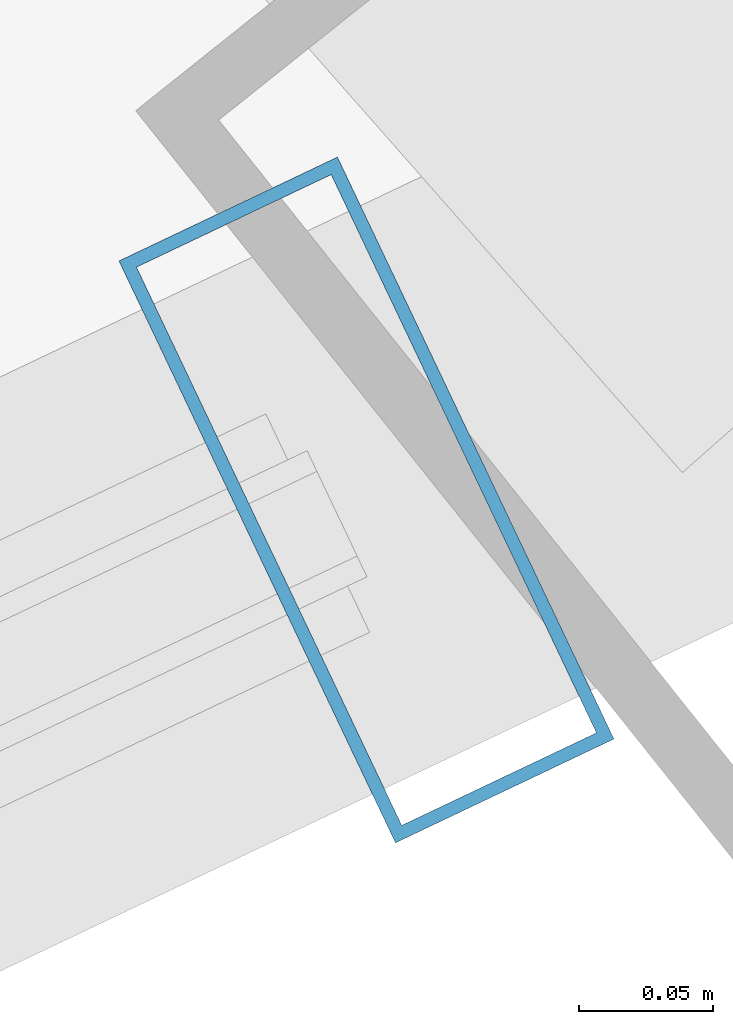
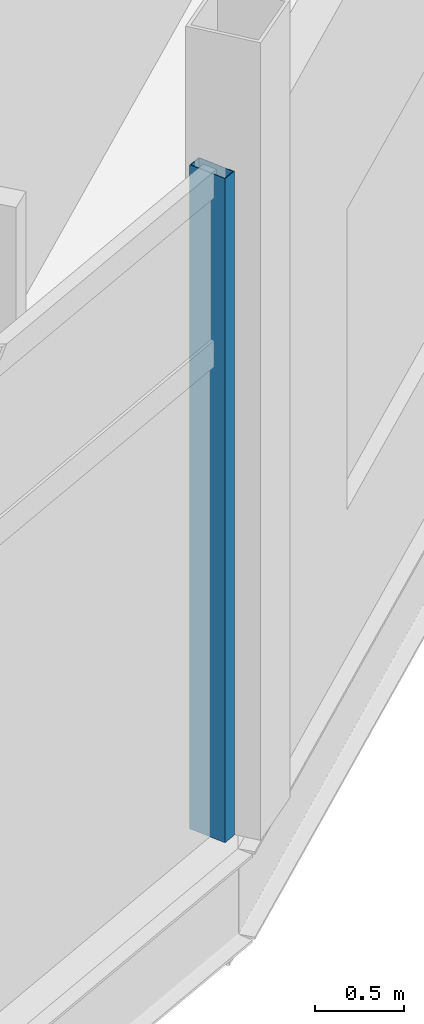
# One storey, part 46 of 103: 1 member, 1 element without a shape of its own.
"""IFC4 building model written with IfcOpenShell, lengths in metres."""

from ifc_helpers import new_model, si_unit, direction, frame, origin, origin_2d, place, context, subcontext, project, spatial, hollow_rectangle, extrude, material, layer, layer_set, material_profile, profile_set, type_object, element, aggregate, save


model = new_model("IFC4")

# Units and contexts
model_context = context("Model", 3, precision=1e-05, world=origin(), true_north=direction((0.0, 1.0)))
body_context = subcontext(model_context, "Body", "Model", "MODEL_VIEW")
ifc_project = project(units=[si_unit("LENGTHUNIT", "METRE"), si_unit("AREAUNIT", "SQUARE_METRE"), si_unit("VOLUMEUNIT", "CUBIC_METRE"), si_unit("PLANEANGLEUNIT", "RADIAN"), si_unit("MASSUNIT", "GRAM", prefix="KILO")], contexts=[model_context])

# Site, building, storey
site_placement = place(None, origin())
site = spatial("IfcSite", under=ifc_project, at=site_placement, CompositionType="ELEMENT")
building_placement = place(site_placement, origin())
building = spatial("IfcBuilding", under=site, at=building_placement, Name="Kazemori Nagisa Stadium", CompositionType="ELEMENT")
storey_placement = place(building_placement, frame((0.0, 0.0, 25.840087890625)))
storey = spatial("IfcBuildingStorey", under=building, at=storey_placement, Name="L05", CompositionType="ELEMENT", Elevation=25.840087890625)

# Curtain wall, member
ifc_material_1 = material(Name="Anodised aluminium 6063-T5", Category="aluminium")
ifc_layer = layer(ifc_material_1, 0.239990234375, Name="Anodised aluminium 6063-T5", Category="aluminium")
ifc_layer_set = layer_set([ifc_layer], Name="Anodised aluminium 6063-T5")
curtain_wall_type = type_object("IfcCurtainWallType", Name="CW_L05R3_107", PredefinedType="USERDEFINED", material=ifc_layer_set)
curtain_wall_placement = place(storey_placement, origin())
curtain_wall = element("IfcCurtainWall", 1, at=curtain_wall_placement, inside=storey, type_object=curtain_wall_type, Name="Unitised curtain wall CW-L05R3-107 L05", ObjectType="UNITISED CURTAIN WALL", PredefinedType="USERDEFINED")
ifc_material_2 = material(Name="Aluminium 6063-T5 anodised", Category="aluminium")
ifc_material_profile = material_profile(ifc_material_2, hollow_rectangle(XDim=0.090087890625, YDim=0.239990234375, WallThickness=0.0048828125, at=origin_2d()), Name="ALU-MULL-90x240x5")
ifc_profile_set = profile_set([ifc_material_profile], Name="Aluminium 6063-T5 anodised")
member_type = type_object("IfcMemberType", Name="Mullion_M03", PredefinedType="MULLION", material=ifc_profile_set)
member_placement = place(storey_placement, frame((185.36767578125, 30.83154296875, 0.0), z_axis=(0.0, 0.0, 1.0), x_axis=(0.903215892654, 0.429186499388, 0.0)))
member = element("IfcMember", 2, at=member_placement, type_object=member_type, Name="Curtain wall mullion CW-L05R3-107-M4", PredefinedType="MULLION", context=body_context, shape_type="SweptSolid", body=[
    extrude(hollow_rectangle(XDim=0.090087890625, YDim=0.239990234375, WallThickness=0.0048828125, at=origin_2d()), origin(), (0.0, 0.0, 1.0), 4.530029296875),
])
aggregate(curtain_wall, [member])

save(model, "model.ifc")
